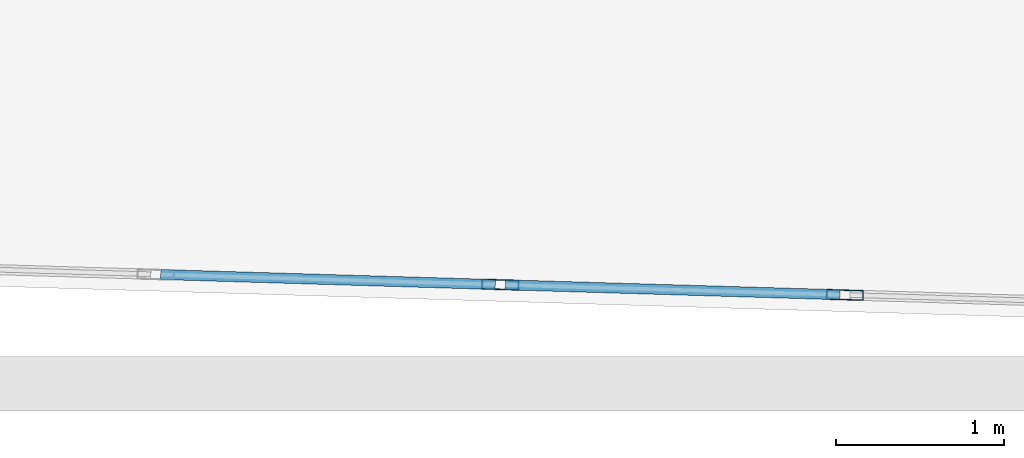
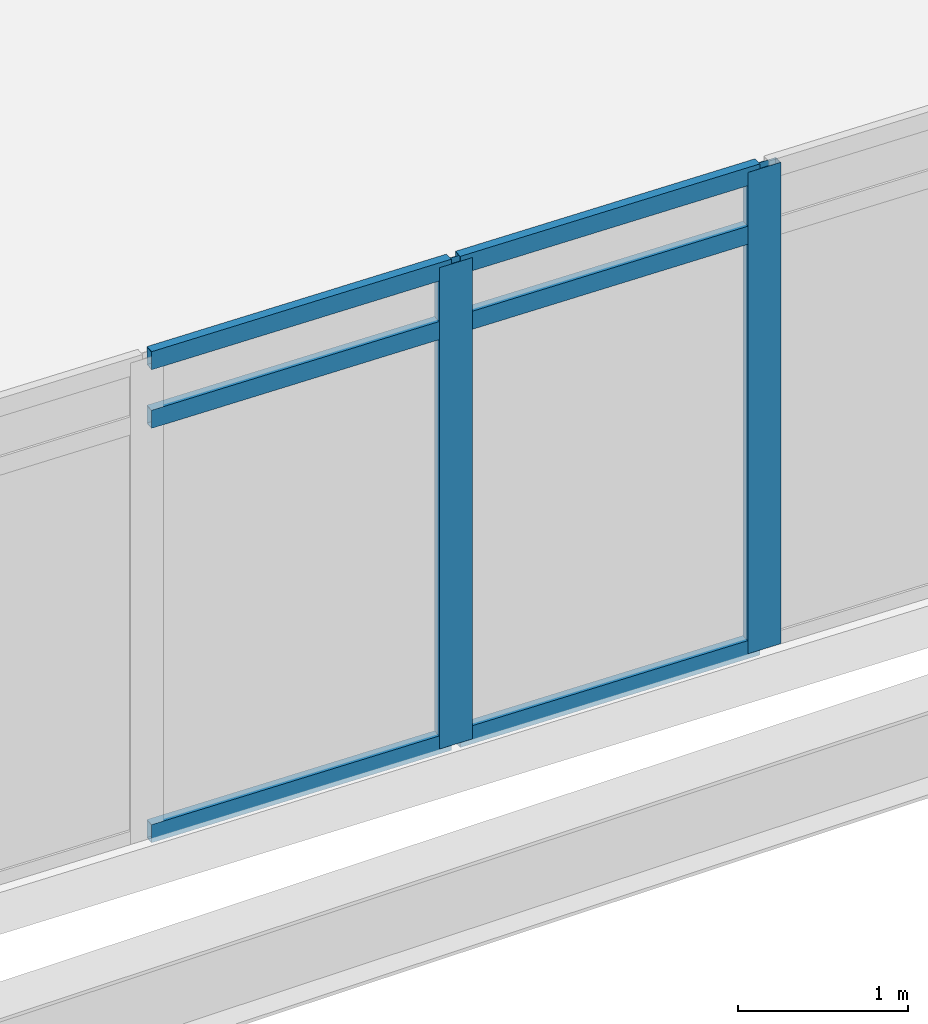
# One storey, part 3 of 28: 8 members, 1 element without a shape of its own.
"""IFC4 building model written with IfcOpenShell, lengths in metres."""

from ifc_helpers import new_model, si_unit, direction, frame, origin, origin_2d, place, context, subcontext, project, spatial, hollow_rectangle, extrude, material, material_profile, profile_set, type_object, element, aggregate, save


model = new_model("IFC4")

# Units and contexts
model_context = context("Model", 3, precision=1e-05, world=origin(), true_north=direction((0.0, 1.0)))
body_context = subcontext(model_context, "Body", "Model", "MODEL_VIEW")
ifc_project = project(units=[si_unit("LENGTHUNIT", "METRE"), si_unit("AREAUNIT", "SQUARE_METRE"), si_unit("VOLUMEUNIT", "CUBIC_METRE"), si_unit("PLANEANGLEUNIT", "RADIAN"), si_unit("MASSUNIT", "GRAM", prefix="KILO")], contexts=[model_context])

# Site, building, storey
site_placement = place(None, origin())
site = spatial("IfcSite", under=ifc_project, at=site_placement, CompositionType="ELEMENT")
building_placement = place(site_placement, origin())
building = spatial("IfcBuilding", under=site, at=building_placement, Name="Ostrander Bayou Hotel Tower", CompositionType="ELEMENT")
storey_placement = place(building_placement, frame((0.0, 0.0, 100.5)))
storey = spatial("IfcBuildingStorey", under=building, at=storey_placement, Name="L25", CompositionType="ELEMENT", Elevation=100.5)

# Curtain wall, members
ifc_material_1 = material(Name="Aluminium and clear glass", Category="aluminium")
curtain_wall_type = type_object("IfcCurtainWallType", Name="CW-BAR glazed wall", PredefinedType="NOTDEFINED", material=ifc_material_1)
curtain_wall_placement = place(storey_placement, origin())
curtain_wall = element("IfcCurtainWall", 1, at=curtain_wall_placement, inside=storey, type_object=curtain_wall_type, Name="CW-BAR L25:SB2S:T", PredefinedType="NOTDEFINED")
ifc_material_2 = material(Name="Aluminium", Category="aluminium")
ifc_material_profile_1 = material_profile(ifc_material_2, hollow_rectangle(XDim=0.06005859375, YDim=0.219970703125, WallThickness=0.00390625, at=origin_2d()))
ifc_profile_set_1 = profile_set([ifc_material_profile_1], Name="Aluminium")
member_type_1 = type_object("IfcMemberType", Name="CW-BR mullion 60 x 220 mm", PredefinedType="MULLION", material=ifc_profile_set_1)
member_1_placement = place(storey_placement, frame((-3.084716796875, -31.608154296875, 0.0), z_axis=(0.0, 0.0, 1.0), x_axis=(0.029746242041, 0.999557482631, 0.0)))
member_1 = element("IfcMember", 2, at=member_1_placement, type_object=member_type_1, Name="CW-BAR mullion 6", PredefinedType="MULLION", context=body_context, shape_type="SweptSolid", body=[
    extrude(hollow_rectangle(XDim=0.06005859375, YDim=0.219970703125, WallThickness=0.00390625, at=origin_2d()), origin(), (0.0, 0.0, 1.0), 3.449951171875),
])
member_2_placement = place(storey_placement, frame((-1.0283203125, -31.66943359375, 0.0), z_axis=(0.0, 0.0, 1.0), x_axis=(0.029746242041, 0.999557482631, 0.0)))
member_2 = element("IfcMember", 3, at=member_2_placement, type_object=member_type_1, Name="CW-BAR mullion 7", PredefinedType="MULLION", context=body_context, shape_type="SweptSolid", body=[
    extrude(hollow_rectangle(XDim=0.06005859375, YDim=0.219970703125, WallThickness=0.00390625, at=origin_2d()), origin(), (0.0, 0.0, 1.0), 3.449951171875),
])
ifc_material_3 = material(Name="Aluminium", Category="aluminium")
ifc_material_profile_2 = material_profile(ifc_material_3, hollow_rectangle(XDim=0.06005859375, YDim=0.1298828125, WallThickness=0.00390625, at=origin_2d()))
ifc_profile_set_2 = profile_set([ifc_material_profile_2], Name="Aluminium")
member_type_2 = type_object("IfcMemberType", Name="CW-BR transom 60 x 130 mm", PredefinedType="USERDEFINED", material=ifc_profile_set_2)
member_3_placement = place(storey_placement, frame((-5.111328125, -31.5478515625, 0.030029296875), z_axis=(0.999555199151, -0.029822874614, 0.0), x_axis=(0.029822874614, 0.999555199151, 0.0)))
member_3 = element("IfcMember", 4, at=member_3_placement, type_object=member_type_2, Name="CW-BAR transom 5.1", ObjectType="TRANSOM", PredefinedType="USERDEFINED", context=body_context, shape_type="SweptSolid", body=[
    extrude(hollow_rectangle(XDim=0.06005859375, YDim=0.1298828125, WallThickness=0.00390625, at=origin_2d()), origin(), (0.0, 0.0, 1.0), 1.99755859375),
])
member_4_placement = place(storey_placement, frame((-5.111328125, -31.5478515625, 3.0), z_axis=(0.999555199151, -0.029822874614, 0.0), x_axis=(0.029822874614, 0.999555199151, 0.0)))
member_4 = element("IfcMember", 5, at=member_4_placement, type_object=member_type_2, Name="CW-BAR transom 5.2", ObjectType="TRANSOM", PredefinedType="USERDEFINED", context=body_context, shape_type="SweptSolid", body=[
    extrude(hollow_rectangle(XDim=0.06005859375, YDim=0.1298828125, WallThickness=0.00390625, at=origin_2d()), origin(), (0.0, 0.0, 1.0), 1.99755859375),
])
member_5_placement = place(storey_placement, frame((-5.111328125, -31.5478515625, 3.419921875), z_axis=(0.999555199151, -0.029822874614, 0.0), x_axis=(0.029822874614, 0.999555199151, 0.0)))
member_5 = element("IfcMember", 6, at=member_5_placement, type_object=member_type_2, Name="CW-BAR transom 5.3", ObjectType="TRANSOM", PredefinedType="USERDEFINED", context=body_context, shape_type="SweptSolid", body=[
    extrude(hollow_rectangle(XDim=0.06005859375, YDim=0.1298828125, WallThickness=0.00390625, at=origin_2d()), origin(), (0.0, 0.0, 1.0), 1.99755859375),
])
member_6_placement = place(storey_placement, frame((-3.0546875, -31.609130859375, 0.030029296875), z_axis=(0.999558727342, -0.029704386785, 0.0), x_axis=(0.029704386785, 0.999558727342, 0.0)))
member_6 = element("IfcMember", 7, at=member_6_placement, type_object=member_type_2, Name="CW-BAR transom 6.1", ObjectType="TRANSOM", PredefinedType="USERDEFINED", context=body_context, shape_type="SweptSolid", body=[
    extrude(hollow_rectangle(XDim=0.06005859375, YDim=0.1298828125, WallThickness=0.00390625, at=origin_2d()), origin(), (0.0, 0.0, 1.0), 1.997314453125),
])
member_7_placement = place(storey_placement, frame((-3.0546875, -31.609130859375, 3.0), z_axis=(0.999558727342, -0.029704386785, 0.0), x_axis=(0.029704386785, 0.999558727342, 0.0)))
member_7 = element("IfcMember", 8, at=member_7_placement, type_object=member_type_2, Name="CW-BAR transom 6.2", ObjectType="TRANSOM", PredefinedType="USERDEFINED", context=body_context, shape_type="SweptSolid", body=[
    extrude(hollow_rectangle(XDim=0.06005859375, YDim=0.1298828125, WallThickness=0.00390625, at=origin_2d()), origin(), (0.0, 0.0, 1.0), 1.997314453125),
])
member_8_placement = place(storey_placement, frame((-3.0546875, -31.609130859375, 3.419921875), z_axis=(0.999558727342, -0.029704386785, 0.0), x_axis=(0.029704386785, 0.999558727342, 0.0)))
member_8 = element("IfcMember", 9, at=member_8_placement, type_object=member_type_2, Name="CW-BAR transom 6.3", ObjectType="TRANSOM", PredefinedType="USERDEFINED", context=body_context, shape_type="SweptSolid", body=[
    extrude(hollow_rectangle(XDim=0.06005859375, YDim=0.1298828125, WallThickness=0.00390625, at=origin_2d()), origin(), (0.0, 0.0, 1.0), 1.997314453125),
])
aggregate(curtain_wall, [member_1, member_2, member_3, member_4, member_5, member_6, member_7, member_8])

save(model, "model.ifc")
